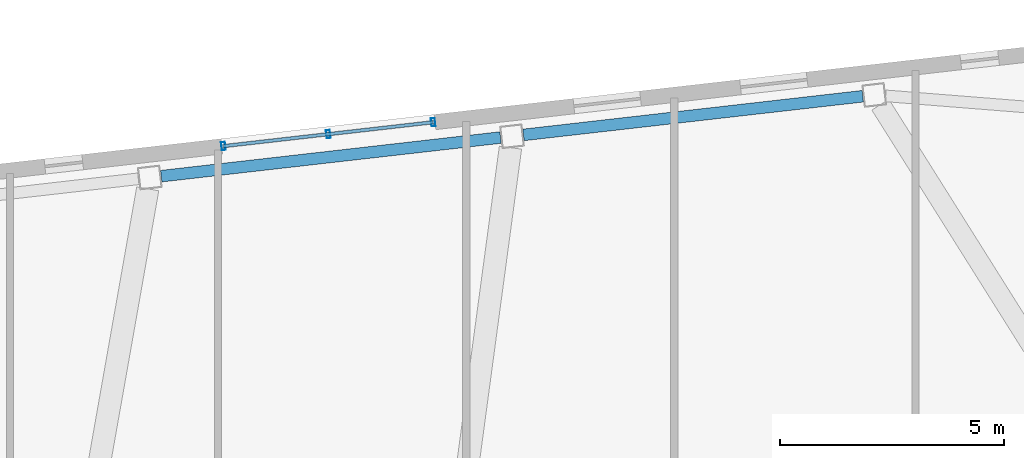
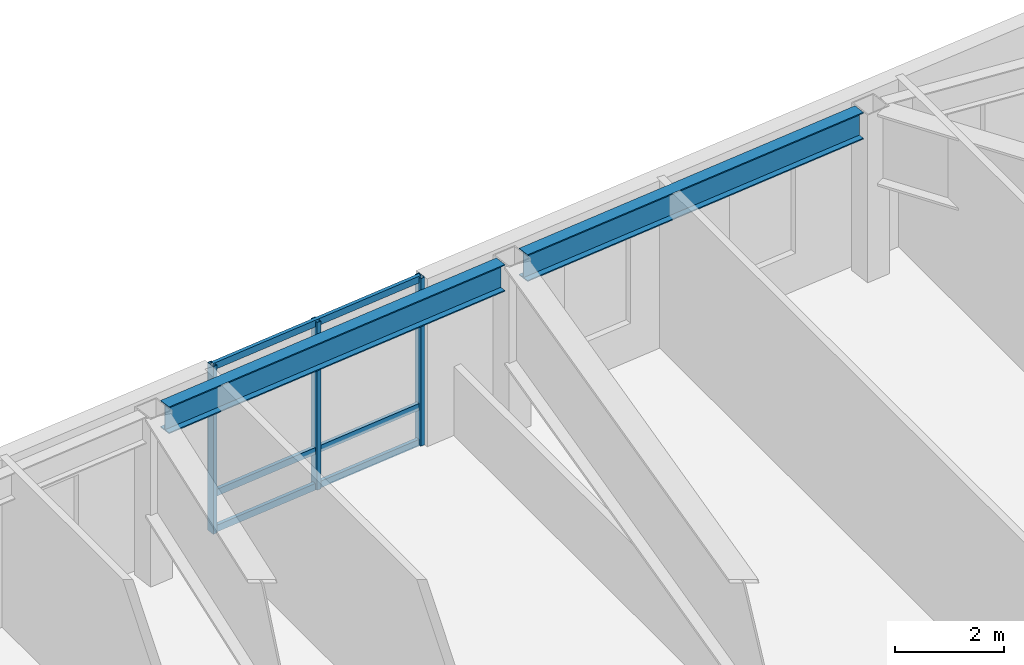
# One storey, part 9 of 18: 6 members, 2 beams, 1 element without a shape of its own.
"""IFC4 building model written with IfcOpenShell, lengths in metres."""

from ifc_helpers import new_model, si_unit, direction, frame, origin, origin_2d, place, context, subcontext, project, spatial, hollow_rectangle, i_section, extrude, material, layer, layer_set, material_profile, profile_set, type_object, element, aggregate, save


model = new_model("IFC4")

# Units and contexts
model_context = context("Model", 3, precision=1e-05, world=origin(), true_north=direction((0.0, 1.0)))
body_context = subcontext(model_context, "Body", "Model", "MODEL_VIEW")
ifc_project = project(units=[si_unit("LENGTHUNIT", "METRE"), si_unit("AREAUNIT", "SQUARE_METRE"), si_unit("VOLUMEUNIT", "CUBIC_METRE"), si_unit("PLANEANGLEUNIT", "RADIAN"), si_unit("MASSUNIT", "GRAM", prefix="KILO")], contexts=[model_context])

# Site, building, storey
site_placement = place(None, origin())
site = spatial("IfcSite", under=ifc_project, at=site_placement, CompositionType="ELEMENT")
building_placement = place(site_placement, origin())
building = spatial("IfcBuilding", under=site, at=building_placement, Name="Tavrogorsk Clinical Tower", CompositionType="ELEMENT")
storey_placement = place(building_placement, frame((0.0, 0.0, 226.199951171875)))
storey = spatial("IfcBuildingStorey", under=building, at=storey_placement, Name="L52", CompositionType="ELEMENT", Elevation=226.199951171875)

# Curtain wall, members
ifc_material_1 = material(Name="Anodised aluminium and triple IGU glazing", Category="aluminium")
ifc_layer = layer(ifc_material_1, 0.179931640625)
ifc_layer_set = layer_set([ifc_layer], Name="Anodised aluminium and triple IGU glazing")
curtain_wall_type = type_object("IfcCurtainWallType", Name="CW2_NorthSlot", PredefinedType="NOTDEFINED", material=ifc_layer_set)
curtain_wall_placement = place(storey_placement, origin())
curtain_wall = element("IfcCurtainWall", 1, at=curtain_wall_placement, inside=storey, type_object=curtain_wall_type, Name="L52 Curtain Wall CW-L52-N-SLOT-2", PredefinedType="NOTDEFINED")
ifc_material_2 = material(Name="Anodised aluminium alloy AW-6060", Category="aluminium")
ifc_material_profile_1 = material_profile(ifc_material_2, hollow_rectangle(XDim=0.090087890625, YDim=0.179931640625, WallThickness=0.00634765625, at=origin_2d()), Name="RHS-180x90x6.3")
ifc_profile_set_1 = profile_set([ifc_material_profile_1], Name="Anodised aluminium alloy AW-6060")
member_type_1 = type_object("IfcMemberType", Name="CwMullion_180x90", PredefinedType="MULLION", material=ifc_profile_set_1)
member_1_placement = place(storey_placement, frame((5.410400390625, 27.270263671875, 0.0), z_axis=(0.0, 0.0, 1.0), x_axis=(-0.993571855603, -0.11320321441, 0.0)))
member_1 = element("IfcMember", 2, at=member_1_placement, type_object=member_type_1, Name="CW-L52-N-SLOT-2 Mullion 1", PredefinedType="MULLION", context=body_context, shape_type="SweptSolid", body=[
    extrude(hollow_rectangle(XDim=0.090087890625, YDim=0.179931640625, WallThickness=0.00634765625, at=origin_2d()), origin(), (0.0, 0.0, 1.0), 3.739990234375),
])
member_2_placement = place(storey_placement, frame((3.06640625, 27.003173828125, 0.0), z_axis=(0.0, 0.0, 1.0), x_axis=(-0.993571855603, -0.11320321441, 0.0)))
member_2 = element("IfcMember", 3, at=member_2_placement, type_object=member_type_1, Name="CW-L52-N-SLOT-2 Mullion 2", PredefinedType="MULLION", context=body_context, shape_type="SweptSolid", body=[
    extrude(hollow_rectangle(XDim=0.090087890625, YDim=0.179931640625, WallThickness=0.00634765625, at=origin_2d()), origin(), (0.0, 0.0, 1.0), 3.739990234375),
])
member_3_placement = place(storey_placement, frame((0.72265625, 26.736083984375, 0.0), z_axis=(0.0, 0.0, 1.0), x_axis=(-0.993571855603, -0.11320321441, 0.0)))
member_3 = element("IfcMember", 4, at=member_3_placement, type_object=member_type_1, Name="CW-L52-N-SLOT-2 Mullion 3", PredefinedType="MULLION", context=body_context, shape_type="SweptSolid", body=[
    extrude(hollow_rectangle(XDim=0.090087890625, YDim=0.179931640625, WallThickness=0.00634765625, at=origin_2d()), origin(), (0.0, 0.0, 1.0), 3.739990234375),
])
ifc_material_3 = material(Name="Anodised aluminium alloy AW-6060", Category="aluminium")
ifc_material_profile_2 = material_profile(ifc_material_3, hollow_rectangle(XDim=0.074951171875, YDim=0.14990234375, WallThickness=0.0048828125, at=origin_2d()), Name="RHS-150x75x5")
ifc_profile_set_2 = profile_set([ifc_material_profile_2], Name="Anodised aluminium alloy AW-6060")
member_type_2 = type_object("IfcMemberType", Name="CwTransom_150x75", PredefinedType="USERDEFINED", material=ifc_profile_set_2)
member_4_placement = place(storey_placement, frame((5.410400390625, 27.270263671875, 0.050048828125), z_axis=(-0.993569979218, -0.113219682023, 0.0), x_axis=(0.113219682023, -0.993569979218, 0.0)))
member_4 = element("IfcMember", 5, at=member_4_placement, type_object=member_type_2, Name="CW-L52-N-SLOT-2 Transom 1", ObjectType="TRANSOM", PredefinedType="USERDEFINED", context=body_context, shape_type="SweptSolid", body=[
    extrude(hollow_rectangle(XDim=0.074951171875, YDim=0.14990234375, WallThickness=0.0048828125, at=origin_2d()), origin(), (0.0, 0.0, 1.0), 4.718017578125),
])
member_5_placement = place(storey_placement, frame((5.410400390625, 27.270263671875, 0.85009765625), z_axis=(-0.993569979218, -0.113219682023, 0.0), x_axis=(0.113219682023, -0.993569979218, 0.0)))
member_5 = element("IfcMember", 6, at=member_5_placement, type_object=member_type_2, Name="CW-L52-N-SLOT-2 Transom 2", ObjectType="TRANSOM", PredefinedType="USERDEFINED", context=body_context, shape_type="SweptSolid", body=[
    extrude(hollow_rectangle(XDim=0.074951171875, YDim=0.14990234375, WallThickness=0.0048828125, at=origin_2d()), origin(), (0.0, 0.0, 1.0), 4.718017578125),
])
member_6_placement = place(storey_placement, frame((5.410400390625, 27.270263671875, 3.68994140625), z_axis=(-0.993569979218, -0.113219682023, 0.0), x_axis=(0.113219682023, -0.993569979218, 0.0)))
member_6 = element("IfcMember", 7, at=member_6_placement, type_object=member_type_2, Name="CW-L52-N-SLOT-2 Transom 3", ObjectType="TRANSOM", PredefinedType="USERDEFINED", context=body_context, shape_type="SweptSolid", body=[
    extrude(hollow_rectangle(XDim=0.074951171875, YDim=0.14990234375, WallThickness=0.0048828125, at=origin_2d()), origin(), (0.0, 0.0, 1.0), 4.718017578125),
])
aggregate(curtain_wall, [member_1, member_2, member_3, member_4, member_5, member_6])

# Beams
ifc_material_4 = material(Name="Structural steel S390", Category="steel")
ifc_material_profile_3 = material_profile(ifc_material_4, i_section(OverallWidth=0.260009765625, OverallDepth=0.60009765625, WebThickness=0.014892578125, FlangeThickness=0.02392578125, at=origin_2d()), Name="B-600x260x15x24")
ifc_profile_set_3 = profile_set([ifc_material_profile_3], Name="Structural steel S390")
beam_type = type_object("IfcBeamType", Name="SpandrelBeam_B600", PredefinedType="SPANDREL", material=ifc_profile_set_3)
for number, where, z_axis, x_axis, name in (
    (8, (15.01220703125, 27.850830078125, 3.43994140625), (-0.993572099834, -0.113201070804, 0.0), (0.113201070804, -0.993572099834, 0.0), "L52 Perimeter Spandrel N2-N3"),
    (9, (6.916015625, 26.928466796875, 3.43994140625), (-0.993572099834, -0.113201070804, 0.0), (0.113201070804, -0.993572099834, 0.0), "L52 Perimeter Spandrel N3-N4"),
):
    element("IfcBeam", number, at=place(storey_placement, frame(where, z_axis=z_axis, x_axis=x_axis)), inside=storey, type_object=beam_type, Name=name, PredefinedType="SPANDREL", context=body_context, shape_type="SweptSolid", body=[
        extrude(i_section(OverallWidth=0.260009765625, OverallDepth=0.60009765625, WebThickness=0.014892578125, FlangeThickness=0.02392578125, at=origin_2d()), origin(), (0.0, 0.0, 1.0), 7.632568359375),
    ])

save(model, "model.ifc")
